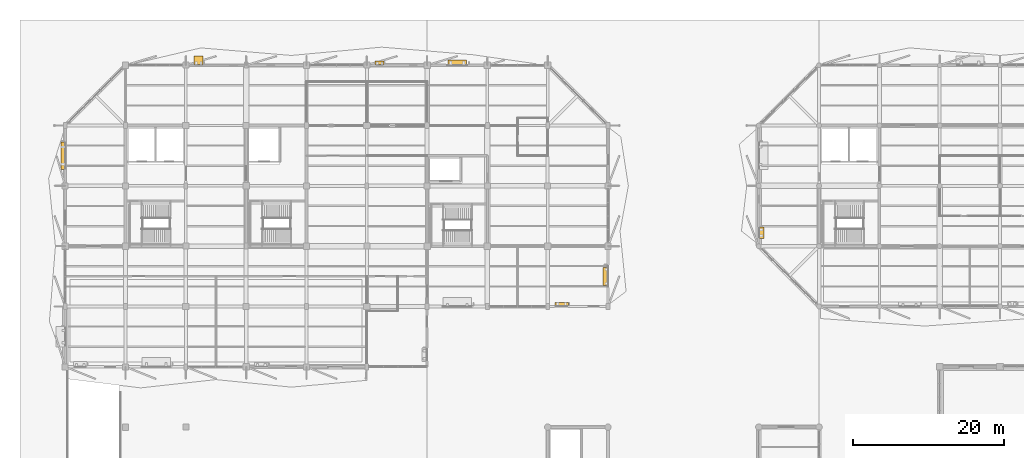
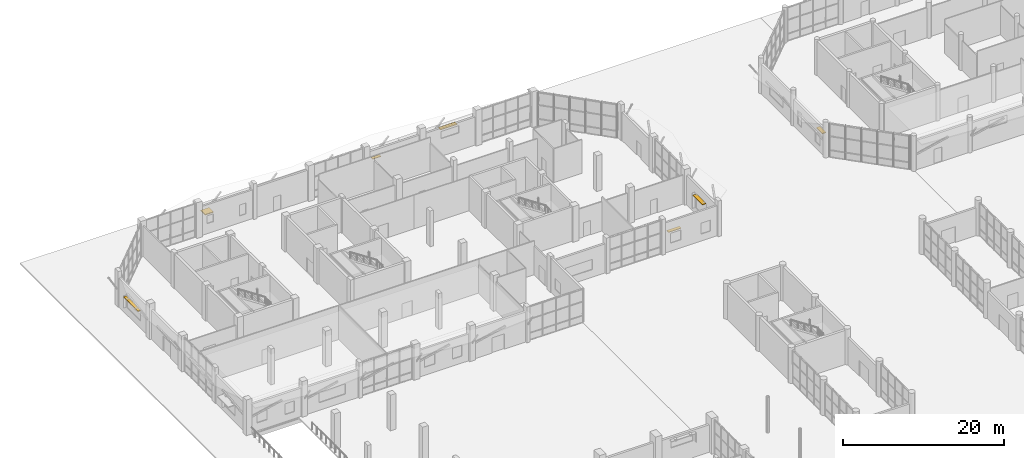
# One storey, part 119 of 123: 7 shading devices.
"""IFC4 building model written with IfcOpenShell, lengths in metres."""

import ifcopenshell
import ifcopenshell.guid

model = None  # the IFC model being written
_history = None  # IfcOwnerHistory: only IFC2X3 demands one
_inside = {}  # id of a spatial element -> (the spatial element, [elements in it])
_under = {}  # id of a project, library or spatial element -> (it, [spatial elements below it])
_declared = {}  # id of a project -> (the project, [libraries it declares])
_typed = {}  # id of a type object -> (the type object, [elements of that type])
_made_of = {}  # id of a material, layer set ... -> (it, [elements and type objects made of it])


def new_model(schema):
    """Start an empty IFC model of exactly this schema.

    Asked for "IFC4X3", IfcOpenShell would pick the latest addendum, in which some entities
    have other attributes; the version numbers below select the first issue.
    IFC2X3 requires an IfcOwnerHistory on every rooted entity: one is made here for all.
    """
    global model, _history
    if schema == "IFC4X3":
        model = ifcopenshell.file(schema_version=(4, 3, 0, 0))
    else:
        model = ifcopenshell.file(schema=schema)
    _inside.clear()
    _under.clear()
    _declared.clear()
    _typed.clear()
    _made_of.clear()
    _history = None
    if model.schema == "IFC2X3":
        org = make("IfcOrganization", Name="unknown")
        user = make(
            "IfcPersonAndOrganization",
            ThePerson=make("IfcPerson", FamilyName="unknown"),
            TheOrganization=org,
        )
        app = make(
            "IfcApplication",
            ApplicationDeveloper=org,
            Version="unknown",
            ApplicationFullName="unknown",
            ApplicationIdentifier="unknown",
        )
        _history = make(
            "IfcOwnerHistory",
            OwningUser=user,
            OwningApplication=app,
            ChangeAction="ADDED",
            CreationDate=0,
        )
    return model


def make(cls, **values):
    """One entity of the class cls with the attributes given. An attribute that is None is left unset."""
    return model.create_entity(
        cls, **{name: value for name, value in values.items() if value is not None}
    )


def rooted(cls, **values):
    """An entity with a GlobalId (a new one), such as an element, a storey or a relation."""
    return make(cls, GlobalId=ifcopenshell.guid.new(), OwnerHistory=_history, **values)


def si_unit(unit_type, name, prefix=None):
    """IfcSIUnit, for example si_unit("LENGTHUNIT", "METRE", prefix="MILLI")."""
    return make("IfcSIUnit", UnitType=unit_type, Prefix=prefix, Name=name)


def assignment(units):
    """IfcUnitAssignment: the units of a project."""
    return None if units is None else make("IfcUnitAssignment", Units=units)


def point(xyz):
    """IfcCartesianPoint."""
    return None if xyz is None else make("IfcCartesianPoint", Coordinates=xyz)


def direction(xyz):
    """IfcDirection."""
    return None if xyz is None else make("IfcDirection", DirectionRatios=xyz)


def frame(location, z_axis=None, x_axis=None):
    """IfcAxis2Placement3D, a coordinate frame: its origin and axes. An axis left out is left unset."""
    return make(
        "IfcAxis2Placement3D",
        Location=point(location),
        Axis=direction(z_axis),
        RefDirection=direction(x_axis),
    )


def frame_2d(location, x_axis=None):
    """IfcAxis2Placement2D, a coordinate frame in the plane: its origin and x axis."""
    return make(
        "IfcAxis2Placement2D", Location=point(location), RefDirection=direction(x_axis)
    )


def origin():
    """The frame at (0, 0, 0) with its axes left unset."""
    return frame((0.0, 0.0, 0.0))


def origin_2d():
    """The frame at (0, 0) in the plane with its x axis left unset."""
    return frame_2d((0.0, 0.0))


def place(relative_to, where):
    """IfcLocalPlacement: puts the frame where relative to a parent placement (None: the world)."""
    return make(
        "IfcLocalPlacement", PlacementRelTo=relative_to, RelativePlacement=where
    )


def context(
    kind, dimensions, precision=None, world=None, true_north=None, identifier=None
):
    """IfcGeometricRepresentationContext, for example the 3D "Model" context."""
    return make(
        "IfcGeometricRepresentationContext",
        ContextIdentifier=identifier,
        ContextType=kind,
        CoordinateSpaceDimension=dimensions,
        Precision=precision,
        WorldCoordinateSystem=world,
        TrueNorth=true_north,
    )


def subcontext(parent, identifier, kind, view, scale=None):
    """IfcGeometricRepresentationSubContext, for example "Body" below "Model"."""
    return make(
        "IfcGeometricRepresentationSubContext",
        ContextIdentifier=identifier,
        ContextType=kind,
        ParentContext=parent,
        TargetScale=scale,
        TargetView=view,
    )


def project(units=None, contexts=None):
    """IfcProject with its units and contexts."""
    return rooted(
        "IfcProject",
        Name="project",
        RepresentationContexts=contexts,
        UnitsInContext=assignment(units),
    )


def spatial(cls, under=None, at=None, **own):
    """A site, building, storey or space (cls), placed at a placement, below another one or the project."""
    s = rooted(cls, ObjectPlacement=at, **own)
    if under is not None:
        _under.setdefault(under.id(), (under, []))[1].append(s)
    return s


def profile(cls, at=None, kind="AREA", **sizes):
    """A parametric profile (cls). Its sizes go by their IFC names, for example OverallWidth=200.0."""
    return make(cls, ProfileType=kind, Position=at, **sizes)


def rectangle(**sizes):
    """IfcRectangleProfileDef."""
    return profile("IfcRectangleProfileDef", **sizes)


def extrude(swept, where, along, depth):
    """IfcExtrudedAreaSolid: the profile swept, set in the frame where, extruded along a direction by depth."""
    return make(
        "IfcExtrudedAreaSolid",
        SweptArea=swept,
        Position=where,
        ExtrudedDirection=direction(along),
        Depth=depth,
    )


def shape(context_of_items, identifier, shape_type, items):
    """IfcShapeRepresentation: the items that make up one representation, for example the "Body"."""
    return make(
        "IfcShapeRepresentation",
        ContextOfItems=context_of_items,
        RepresentationIdentifier=identifier,
        RepresentationType=shape_type,
        Items=items,
    )


def material(Name=None, Category=None):
    """IfcMaterial."""
    return make("IfcMaterial", Name=Name, Category=Category)


def made_of(thing, what):
    """Note that an element or type object is made of a material, layer set ...; save() writes the relation."""
    if what is not None:
        _made_of.setdefault(what.id(), (what, []))[1].append(thing)
    return thing


def type_object(cls, material=None, **own):
    """A type object (cls), such as IfcWallType, which elements share."""
    return made_of(rooted(cls, **own), material)


def element(
    cls,
    number,
    at=None,
    inside=None,
    cuts=None,
    type_object=None,
    material=None,
    context=None,
    identifier="Body",
    shape_type=None,
    held_by="IfcProductDefinitionShape",
    body=None,
    shapes=None,
    **own,
):
    """One element of the class cls, such as IfcWall. Its Tag is "e" and its number.

    at: its placement. inside: the storey or other place that contains it. cuts: it is an
    opening in that element (IfcRelVoidsElement). A single representation is given by context,
    identifier, shape_type and body (its items); several are given by shapes. held_by: the class
    of the entity that holds the representations. save() writes the other relations.
    """
    e = rooted(cls, Tag="e%d" % number, ObjectPlacement=at, **own)
    if body is not None:
        shapes = [shape(context, identifier, shape_type, body)]
    if shapes is not None:
        e.Representation = make(held_by, Representations=shapes)
    if inside is not None:
        _inside.setdefault(inside.id(), (inside, []))[1].append(e)
    if cuts is not None:
        rooted(
            "IfcRelVoidsElement", RelatingBuildingElement=cuts, RelatedOpeningElement=e
        )
    if type_object is not None:
        _typed.setdefault(type_object.id(), (type_object, []))[1].append(e)
    return made_of(e, material)


def aggregate(whole, parts):
    """IfcRelAggregates: a whole, such as a stair, and the parts it consists of."""
    return rooted("IfcRelAggregates", RelatingObject=whole, RelatedObjects=parts)


def save(model, path):
    """Write the relations noted so far, then the file.

    IfcRelAggregates (storeys below a building ...), IfcRelContainedInSpatialStructure (elements
    in a storey), IfcRelDefinesByType, IfcRelAssociatesMaterial and IfcRelDeclares: one each for
    every whole, place, type object, material and project.
    """
    for whole, parts in _under.values():
        aggregate(whole, parts)
    for where, things in _inside.values():
        rooted(
            "IfcRelContainedInSpatialStructure",
            RelatedElements=things,
            RelatingStructure=where,
        )
    for kind, things in _typed.values():
        rooted("IfcRelDefinesByType", RelatedObjects=things, RelatingType=kind)
    for what, things in _made_of.values():
        rooted("IfcRelAssociatesMaterial", RelatedObjects=things, RelatingMaterial=what)
    for by, libraries in _declared.values():
        rooted("IfcRelDeclares", RelatingContext=by, RelatedDefinitions=libraries)
    model.write(path)


model = new_model("IFC4")

# Units and contexts
model_context = context("Model", 3, precision=1e-05, world=origin(), true_north=direction((0.0, 1.0)))
body_context = subcontext(model_context, "Body", "Model", "MODEL_VIEW")
ifc_project = project(units=[si_unit("LENGTHUNIT", "METRE"), si_unit("AREAUNIT", "SQUARE_METRE"), si_unit("VOLUMEUNIT", "CUBIC_METRE"), si_unit("PLANEANGLEUNIT", "RADIAN"), si_unit("MASSUNIT", "GRAM", prefix="KILO")], contexts=[model_context])

# Site, building, storey
site_placement = place(None, origin())
site = spatial("IfcSite", under=ifc_project, at=site_placement, CompositionType="ELEMENT")
building_placement = place(site_placement, origin())
building = spatial("IfcBuilding", under=site, at=building_placement, Name="Tenunan Teduh Sports Hall", CompositionType="ELEMENT")
storey_placement = place(building_placement, origin())
storey = spatial("IfcBuildingStorey", under=building, at=storey_placement, Name="L00", CompositionType="ELEMENT", Elevation=0.0)

# Shading devices
ifc_material_1 = material(Name="Perforated anodised aluminium", Category="aluminium")
shading_device_type_1 = type_object("IfcShadingDeviceType", Name="SHD-LOUVRE-1", PredefinedType="AWNING", material=ifc_material_1)
shading_device_1_placement = place(storey_placement, frame((71.85009765625, 86.324951171875, 2.719970703125), z_axis=(0.0, 0.0, 1.0), x_axis=(1.0, 0.0, 0.0)))
element("IfcShadingDevice", 1, at=shading_device_1_placement, inside=storey, type_object=shading_device_type_1, Name="SHD-L00-015", PredefinedType="AWNING", context=body_context, shape_type="SweptSolid", body=[
    extrude(rectangle(XDim=1.800048828125, YDim=0.449951171875, at=origin_2d()), origin(), (0.0, 0.0, 1.0), 0.080078125),
])
shading_device_2_placement = place(storey_placement, frame((47.699951171875, 118.344970703125, 2.719970703125), z_axis=(0.0, 0.0, 1.0), x_axis=(1.0, 0.0, 0.0)))
element("IfcShadingDevice", 2, at=shading_device_2_placement, inside=storey, type_object=shading_device_type_1, Name="SHD-L00-018", PredefinedType="AWNING", context=body_context, shape_type="SweptSolid", body=[
    extrude(rectangle(XDim=1.199951171875, YDim=0.449951171875, at=origin_2d()), origin(), (0.0, 0.0, 1.0), 0.080078125),
])
shading_device_3_placement = place(storey_placement, frame((5.659912109375, 106.0, 2.719970703125), z_axis=(0.0, 0.0, 1.0), x_axis=(0.0, 1.0, 0.0)))
element("IfcShadingDevice", 3, at=shading_device_3_placement, inside=storey, type_object=shading_device_type_1, Name="SHD-L00-021", PredefinedType="AWNING", context=body_context, shape_type="SweptSolid", body=[
    extrude(rectangle(XDim=3.60009765625, YDim=0.449951171875, at=origin_2d()), origin(), (0.0, 0.0, 1.0), 0.080078125),
])
ifc_material_2 = material(Name="Perforated anodised aluminium", Category="aluminium")
shading_device_type_2 = type_object("IfcShadingDeviceType", Name="SHD-LOUVRE-2", PredefinedType="SHUTTER", material=ifc_material_2)
for number, where, z_axis, x_axis, name in (
    (4, (77.610107421875, 89.989990234375, 3.01513671875), (0.0, 0.0, 1.0), (0.0, 1.0, 0.0), "SHD-L00-016"),
    (5, (58.0048828125, 118.389892578125, 3.76513671875), (0.0, 0.0, 1.0), (1.0, 0.0, 0.0), "SHD-L00-019"),
):
    element("IfcShadingDevice", number, at=place(storey_placement, frame(where, z_axis=z_axis, x_axis=x_axis)), inside=storey, type_object=shading_device_type_2, Name=name, PredefinedType="SHUTTER", context=body_context, shape_type="SweptSolid", body=[
        extrude(rectangle(XDim=2.39990234375, YDim=0.550048828125, at=origin_2d()), origin(), (0.0, 0.0, 1.0), 0.090087890625),
    ])
shading_device_4_placement = place(storey_placement, frame((98.39501953125, 95.77490234375, 2.71484375), z_axis=(0.0, 0.0, 1.0), x_axis=(0.0, 1.0, 0.0)))
element("IfcShadingDevice", 6, at=shading_device_4_placement, inside=storey, type_object=shading_device_type_2, Name="SHD-L00-079", PredefinedType="SHUTTER", context=body_context, shape_type="SweptSolid", body=[
    extrude(rectangle(XDim=1.5, YDim=0.550048828125, at=origin_2d()), origin(), (0.0, 0.0, 1.0), 0.090087890625),
])
ifc_material_3 = material(Name="Perforated anodised aluminium", Category="aluminium")
shading_device_type_3 = type_object("IfcShadingDeviceType", Name="SHD-SUNSHADE-1", PredefinedType="JALOUSIE", material=ifc_material_3)
shading_device_5_placement = place(storey_placement, frame((23.699951171875, 118.64990234375, 2.699951171875), z_axis=(0.0, 0.0, 1.0), x_axis=(1.0, 0.0, 0.0)))
element("IfcShadingDevice", 7, at=shading_device_5_placement, inside=storey, type_object=shading_device_type_3, Name="SHD-L00-017", PredefinedType="JALOUSIE", context=body_context, shape_type="SweptSolid", body=[
    extrude(rectangle(XDim=1.199951171875, YDim=1.10009765625, at=origin_2d()), origin(), (0.0, 0.0, 1.0), 0.1201171875),
])

save(model, "model.ifc")
